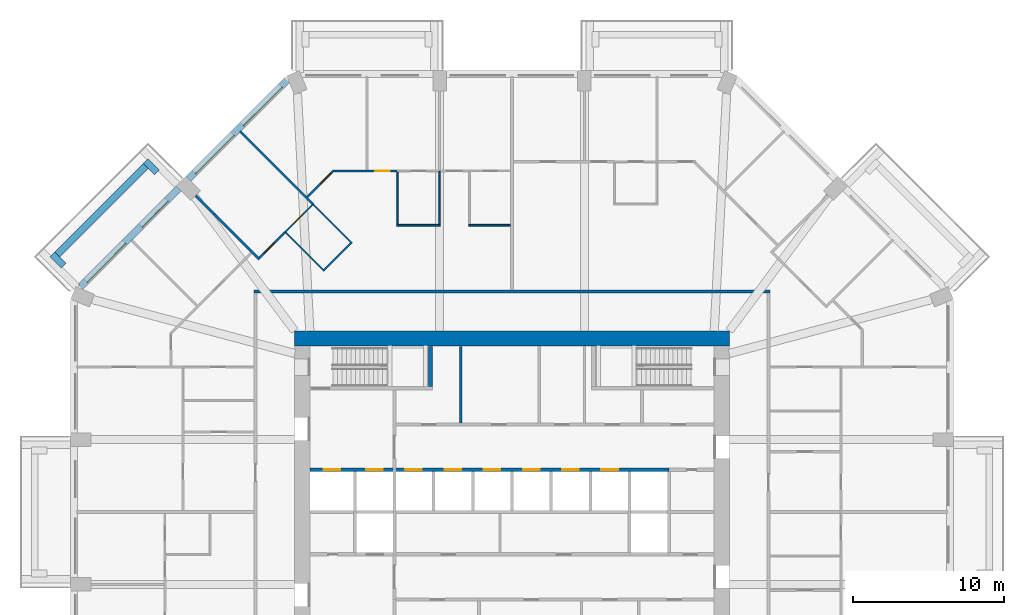
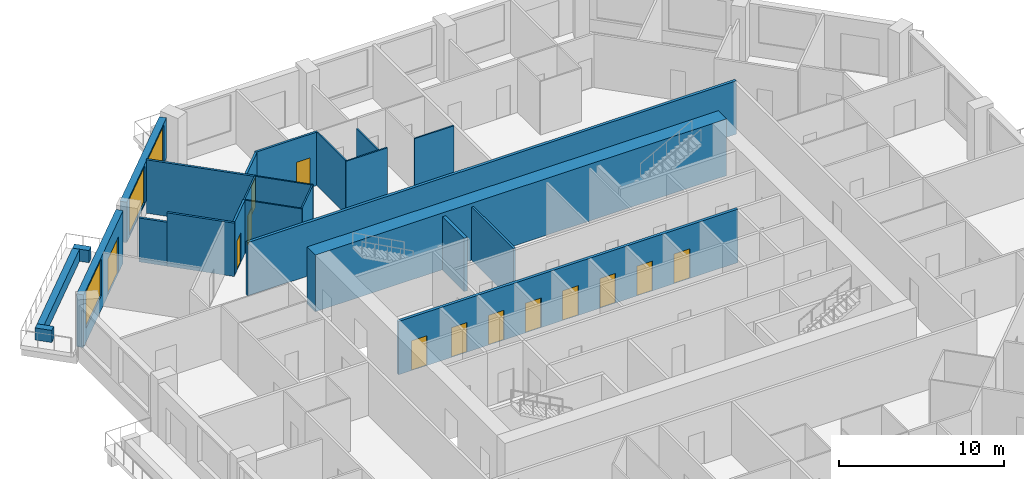
# One storey, part 8 of 13: 24 walls, 13 doors, 3 windows, 16 openings.
"""IFC4 building model written with IfcOpenShell, lengths in metres."""

from ifc_helpers import new_model, si_unit, direction, frame, frame_2d, origin, place, context, subcontext, project, spatial, rectangle, extrude, material, layer, layer_set, type_object, element, fill, save


model = new_model("IFC4")

# Units and contexts
model_context = context("Model", 3, precision=1e-05, world=origin(), true_north=direction((0.0, 1.0)))
body_context = subcontext(model_context, "Body", "Model", "MODEL_VIEW")
ifc_project = project(units=[si_unit("LENGTHUNIT", "METRE"), si_unit("AREAUNIT", "SQUARE_METRE"), si_unit("VOLUMEUNIT", "CUBIC_METRE"), si_unit("PLANEANGLEUNIT", "RADIAN"), si_unit("MASSUNIT", "GRAM", prefix="KILO")], contexts=[model_context])

# Site, building, storey
site_placement = place(None, origin())
site = spatial("IfcSite", under=ifc_project, at=site_placement, CompositionType="ELEMENT")
building_placement = place(site_placement, origin())
building = spatial("IfcBuilding", under=site, at=building_placement, Name="Msitu Wima Residences", CompositionType="ELEMENT")
storey_placement = place(building_placement, frame((0.0, 0.0, 46.5)))
storey = spatial("IfcBuildingStorey", under=building, at=storey_placement, Name="L10", CompositionType="ELEMENT", Elevation=46.5)

# Walls
ifc_material_1 = material(Name="Facing brick")
ifc_layer_1 = layer(ifc_material_1, 0.06494140625, Name="Facing brick")
ifc_material_2 = material(Name="Concrete C40/50", Category="concrete")
ifc_layer_2 = layer(ifc_material_2, 0.156005859375, Name="Concrete C40/50")
ifc_material_3 = material(Name="Waterproofing membrane")
ifc_layer_3 = layer(ifc_material_3, 0.00390625, Name="Waterproofing membrane")
ifc_material_4 = material(Name="Planting soil and planting")
ifc_layer_4 = layer(ifc_material_4, 0.22509765625, Name="Planting soil and planting")
ifc_layer_set_1 = layer_set([ifc_layer_1, ifc_layer_2, ifc_layer_3, ifc_layer_4], Name="Concrete C40/50")
wall_type_1 = type_object("IfcWallType", Name="Balcony planter PLANTER PL450", PredefinedType="USERDEFINED", material=ifc_layer_set_1)
wall_1_placement = place(storey_placement, frame((-24.269287109375, 22.92578125, 0.0), z_axis=(0.0, 0.0, 1.0), x_axis=(-0.707106781187, -0.707106781187, 0.0)))
element("IfcWall", 1, at=wall_1_placement, inside=storey, type_object=wall_type_1, Name="Balcony planter NW1 L10", ObjectType="PLANTER", PredefinedType="USERDEFINED", context=body_context, shape_type="SweptSolid", body=[
    extrude(rectangle(XDim=8.2822265625, YDim=0.449951171875, at=frame_2d((4.14111328125, 0.0))), origin(), (0.0, 0.0, 1.0), 0.89990234375),
])
for number, where, z_axis, x_axis, name in (
    (2, (-23.52685546875, 22.50146484375, 0.0), (0.0, 0.0, 1.0), (-0.706990528533, 0.707223014731, 0.0), "Balcony planter NW1 L10"),
    (3, (-29.70166015625, 16.326904296875, 0.0), (0.0, 0.0, 1.0), (-0.707106781187, 0.707106781187, 0.0), "Balcony planter NW1 L10"),
):
    element("IfcWall", number, at=place(storey_placement, frame(where, z_axis=z_axis, x_axis=x_axis)), inside=storey, type_object=wall_type_1, Name=name, ObjectType="PLANTER", PredefinedType="USERDEFINED", context=body_context, shape_type="SweptSolid", body=[
        extrude(rectangle(XDim=1.050048828125, YDim=0.449951171875, at=frame_2d((0.52490234375, 0.0))), origin(), (0.0, 0.0, 1.0), 0.89990234375),
    ])

# Wall, openings, windows
ifc_material_5 = material(Name="Brick (red buff mix)", Category="masonry")
ifc_layer_5 = layer(ifc_material_5, 0.449951171875)
ifc_layer_set_2 = layer_set([ifc_layer_5], Name="Brick (red buff mix)")
wall_type_2 = type_object("IfcWallType", Name="Brick infill wall BW450", PredefinedType="SOLIDWALL", material=ifc_layer_set_2)
wall_2_placement = place(storey_placement, frame((-14.903564453125, 28.61474609375, 0.89990234375), z_axis=(0.0, 0.0, 1.0), x_axis=(-0.707106781187, -0.707106781187, 0.0)))
wall_2 = element("IfcWall", 4, at=wall_2_placement, inside=storey, type_object=wall_type_2, Name="Brick infill wall L10 NW0", PredefinedType="SOLIDWALL", context=body_context, shape_type="SweptSolid", body=[
    extrude(rectangle(XDim=9.2451171875, YDim=0.449951171875, at=frame_2d((4.62255859375, 0.0))), origin(), (0.0, 0.0, 1.0), 3.0),
])
opening_1_placement = place(wall_2_placement, frame((0.572509765625, 0.0, 0.14990234375)))
opening_1 = element("IfcOpeningElement", 5, at=opening_1_placement, cuts=wall_2, Name="Opening W08-10.013", PredefinedType="OPENING", context=body_context, shape_type="SweptSolid", body=[
    extrude(rectangle(XDim=3.60009765625, YDim=2.699951171875, at=frame_2d((1.800048828125, 1.35009765625))), frame((0.0, 0.23486328125, 0.0), z_axis=(0.0, -1.0, 0.0), x_axis=(1.0, 0.0, 0.0)), (0.0, 0.0, 1.0), 0.469970703125),
])
opening_2_placement = place(wall_2_placement, frame((5.072509765625, 0.0, 0.14990234375)))
opening_2 = element("IfcOpeningElement", 6, at=opening_2_placement, cuts=wall_2, Name="Opening W08-10.014", PredefinedType="OPENING", context=body_context, shape_type="SweptSolid", body=[
    extrude(rectangle(XDim=3.60009765625, YDim=2.699951171875, at=frame_2d((1.800048828125, 1.35009765625))), frame((0.0, 0.23486328125, 0.0), z_axis=(0.0, -1.0, 0.0), x_axis=(1.0, 0.0, 0.0)), (0.0, 0.0, 1.0), 0.469970703125),
])
ifc_material_6 = material(Name="Anodised aluminium, bronze finish, clear low-emissivity double glazing", Category="aluminium")
window_type = type_object("IfcWindowType", Name="Window W3600x2700", PartitioningType="DOUBLE_PANEL_VERTICAL", PredefinedType="WINDOW", material=ifc_material_6)
window_1_placement = place(opening_1_placement, origin())
window_1 = element("IfcWindow", 7, at=window_1_placement, inside=storey, type_object=window_type, Name="Window L10 NW0.1", OverallHeight=2.699951171875, OverallWidth=3.60009765625, PartitioningType="SINGLE_PANEL", PredefinedType="WINDOW", context=body_context, shape_type="SweptSolid", body=[
    extrude(rectangle(XDim=3.60009765625, YDim=2.699951171875, at=frame_2d((1.800048828125, 1.35009765625))), frame((0.0, 0.135009765625, 0.0), z_axis=(0.0, -1.0, 0.0), x_axis=(1.0, 0.0, 0.0)), (0.0, 0.0, 1.0), 0.06005859375),
])
fill(opening_1, window_1)
window_2_placement = place(opening_2_placement, origin())
window_2 = element("IfcWindow", 8, at=window_2_placement, inside=storey, type_object=window_type, Name="Window L10 NW0.2", OverallHeight=2.699951171875, OverallWidth=3.60009765625, PartitioningType="SINGLE_PANEL", PredefinedType="WINDOW", context=body_context, shape_type="SweptSolid", body=[
    extrude(rectangle(XDim=3.60009765625, YDim=2.699951171875, at=frame_2d((1.800048828125, 1.35009765625))), frame((0.0, 0.135009765625, 0.0), z_axis=(0.0, -1.0, 0.0), x_axis=(1.0, 0.0, 0.0)), (0.0, 0.0, 1.0), 0.06005859375),
])
fill(opening_2, window_2)

# Wall, openings, door, window
wall_3_placement = place(storey_placement, frame((-22.077392578125, 21.44091796875, 0.0), z_axis=(0.0, 0.0, 1.0), x_axis=(-0.707106781187, -0.707106781187, 0.0)))
wall_3 = element("IfcWall", 9, at=wall_3_placement, inside=storey, type_object=wall_type_2, Name="Brick infill wall L10 NW1", PredefinedType="SOLIDWALL", context=body_context, shape_type="SweptSolid", body=[
    extrude(rectangle(XDim=9.2451171875, YDim=0.449951171875, at=frame_2d((4.62255859375, 0.0))), origin(), (0.0, 0.0, 1.0), 3.89990234375),
])
opening_3_placement = place(wall_3_placement, frame((1.111328125, 0.0, 0.0)))
opening_3 = element("IfcOpeningElement", 10, at=opening_3_placement, cuts=wall_3, Name="Opening D08-10.005", PredefinedType="OPENING", context=body_context, shape_type="SweptSolid", body=[
    extrude(rectangle(XDim=2.39990234375, YDim=2.699951171875, at=frame_2d((1.199951171875, 1.35009765625))), frame((0.0, 0.23486328125, 0.0), z_axis=(0.0, -1.0, 0.0), x_axis=(1.0, 0.0, 0.0)), (0.0, 0.0, 1.0), 0.469970703125),
])
opening_4_placement = place(wall_3_placement, frame((5.072509765625, 0.0, 1.050048828125)))
opening_4 = element("IfcOpeningElement", 11, at=opening_4_placement, cuts=wall_3, Name="Opening W08-10.015", PredefinedType="OPENING", context=body_context, shape_type="SweptSolid", body=[
    extrude(rectangle(XDim=3.60009765625, YDim=2.699951171875, at=frame_2d((1.800048828125, 1.35009765625))), frame((0.0, 0.23486328125, 0.0), z_axis=(0.0, -1.0, 0.0), x_axis=(1.0, 0.0, 0.0)), (0.0, 0.0, 1.0), 0.469970703125),
])
door_type_1 = type_object("IfcDoorType", Name="Balcony door D2400x2700", OperationType="SLIDING_TO_LEFT", PredefinedType="DOOR", material=ifc_material_6)
door_1_placement = place(opening_3_placement, origin())
door_1 = element("IfcDoor", 12, at=door_1_placement, inside=storey, type_object=door_type_1, Name="Balcony door L10 NW1", OperationType="SINGLE_SWING_LEFT", OverallHeight=2.699951171875, OverallWidth=2.39990234375, PredefinedType="DOOR", context=body_context, shape_type="SweptSolid", body=[
    extrude(rectangle(XDim=2.39990234375, YDim=2.699951171875, at=frame_2d((1.199951171875, 1.35009765625))), frame((0.0, 0.1298828125, 0.0), z_axis=(0.0, -1.0, 0.0), x_axis=(1.0, 0.0, 0.0)), (0.0, 0.0, 1.0), 0.050048828125),
])
fill(opening_3, door_1)
window_3_placement = place(opening_4_placement, origin())
window_3 = element("IfcWindow", 13, at=window_3_placement, inside=storey, type_object=window_type, Name="Window L10 NW1.2", OverallHeight=2.699951171875, OverallWidth=3.60009765625, PartitioningType="SINGLE_PANEL", PredefinedType="WINDOW", context=body_context, shape_type="SweptSolid", body=[
    extrude(rectangle(XDim=3.60009765625, YDim=2.699951171875, at=frame_2d((1.800048828125, 1.35009765625))), frame((0.0, 0.135009765625, 0.0), z_axis=(0.0, -1.0, 0.0), x_axis=(1.0, 0.0, 0.0)), (0.0, 0.0, 1.0), 0.06005859375),
])
fill(opening_4, window_3)

# Walls
ifc_material_7 = material(Name="Concrete C80/95", Category="concrete")
ifc_layer_6 = layer(ifc_material_7, 1.0)
ifc_layer_set_3 = layer_set([ifc_layer_6], Name="Concrete C80/95")
wall_type_3 = type_object("IfcWallType", Name="Core wall CW1000 C80/95", PredefinedType="SHEAR", material=ifc_layer_set_3)
wall_4_placement = place(storey_placement, frame((-14.39990234375, 11.5, 0.0), z_axis=(0.0, 0.0, 1.0), x_axis=(1.0, 0.0, 0.0)))
element("IfcWall", 14, at=wall_4_placement, inside=storey, type_object=wall_type_3, Name="Core wall", PredefinedType="SHEAR", context=body_context, shape_type="SweptSolid", body=[
    extrude(rectangle(XDim=28.7998046875, YDim=1.0, at=frame_2d((14.39990234375, 0.0))), origin(), (0.0, 0.0, 1.0), 4.199951171875),
])
ifc_material_8 = material(Name="Plaster")
ifc_layer_7 = layer(ifc_material_8, 0.011962890625, Name="Plaster")
ifc_material_9 = material(Name="Concrete blockwork", Category="masonry")
ifc_layer_8 = layer(ifc_material_9, 0.176025390625, Name="Concrete blockwork")
ifc_layer_9 = layer(ifc_material_8, 0.011962890625, Name="Plaster")
ifc_layer_set_4 = layer_set([ifc_layer_7, ifc_layer_8, ifc_layer_9], Name="Concrete blockwork")
wall_type_4 = type_object("IfcWallType", Name="Corridor wall FW200", PredefinedType="PARTITIONING", material=ifc_layer_set_4)
wall_5_placement = place(storey_placement, frame((-17.10009765625, 14.60009765625, 0.0), z_axis=(0.0, 0.0, 1.0), x_axis=(1.0, 0.0, 0.0)))
element("IfcWall", 15, at=wall_5_placement, inside=storey, type_object=wall_type_4, Name="Corridor wall", PredefinedType="PARTITIONING", context=body_context, shape_type="SweptSolid", body=[
    extrude(rectangle(XDim=34.2001953125, YDim=0.199951171875, at=frame_2d((17.10009765625, 0.0))), origin(), (0.0, 0.0, 1.0), 3.949951171875),
])
ifc_layer_10 = layer(ifc_material_8, 0.011962890625, Name="Plaster")
ifc_layer_11 = layer(ifc_material_9, 0.1259765625, Name="Concrete blockwork")
ifc_layer_12 = layer(ifc_material_8, 0.011962890625, Name="Plaster")
ifc_layer_set_5 = layer_set([ifc_layer_10, ifc_layer_11, ifc_layer_12], Name="Concrete blockwork")
wall_type_5 = type_object("IfcWallType", Name="Partition PW150", PredefinedType="PARTITIONING", material=ifc_layer_set_5)
wall_6_placement = place(storey_placement, frame((-20.963623046875, 20.963623046875, 0.0), z_axis=(0.0, 0.0, 1.0), x_axis=(0.707106781187, -0.707106781187, 0.0)))
element("IfcWall", 16, at=wall_6_placement, inside=storey, type_object=wall_type_5, Name="Partition", PredefinedType="PARTITIONING", context=body_context, shape_type="SweptSolid", body=[
    extrude(rectangle(XDim=1.74853515625, YDim=0.14990234375, at=frame_2d((0.874267578125, 0.0))), origin(), (0.0, 0.0, 1.0), 3.25),
])
wall_7_placement = place(storey_placement, frame((-19.727294921875, 19.727294921875, 0.0), z_axis=(0.0, 0.0, 1.0), x_axis=(0.707106781187, -0.707106781187, 0.0)))
element("IfcWall", 17, at=wall_7_placement, inside=storey, type_object=wall_type_5, Name="Partition", PredefinedType="PARTITIONING", context=body_context, shape_type="SweptSolid", body=[
    extrude(rectangle(XDim=4.226806640625, YDim=0.14990234375, at=frame_2d((2.11328125, 0.0))), origin(), (0.0, 0.0, 1.0), 3.949951171875),
])
wall_8_placement = place(storey_placement, frame((-18.017578125, 25.2177734375, 0.0), z_axis=(0.0, 0.0, 1.0), x_axis=(0.707088947697, -0.707124614226, 0.0)))
element("IfcWall", 18, at=wall_8_placement, inside=storey, type_object=wall_type_5, Name="Partition", PredefinedType="PARTITIONING", context=body_context, shape_type="SweptSolid", body=[
    extrude(rectangle(XDim=6.844970703125, YDim=0.14990234375, at=frame_2d((3.42236328125, 0.0))), origin(), (0.0, 0.0, 1.0), 3.949951171875),
])

# Wall, opening, door
wall_9_placement = place(storey_placement, frame((-16.738525390625, 16.8447265625, 0.0), z_axis=(0.0, 0.0, 1.0), x_axis=(0.707106781187, 0.707106781187, 0.0)))
wall_9 = element("IfcWall", 19, at=wall_9_placement, inside=storey, type_object=wall_type_5, Name="Partition", PredefinedType="PARTITIONING", context=body_context, shape_type="SweptSolid", body=[
    extrude(rectangle(XDim=2.396240234375, YDim=0.14990234375, at=frame_2d((1.1982421875, 0.0))), origin(), (0.0, 0.0, 1.0), 3.949951171875),
])
opening_5_placement = place(wall_9_placement, frame((0.449951171875, 0.0, 0.0)))
opening_5 = element("IfcOpeningElement", 20, at=opening_5_placement, cuts=wall_9, Name="Opening D08-10.054", PredefinedType="OPENING", context=body_context, shape_type="SweptSolid", body=[
    extrude(rectangle(XDim=0.949951171875, YDim=2.199951171875, at=frame_2d((0.47509765625, 1.10009765625))), frame((0.0, 0.0849609375, 0.0), z_axis=(0.0, -1.0, 0.0), x_axis=(1.0, 0.0, 0.0)), (0.0, 0.0, 1.0), 0.169921875),
])
ifc_material_10 = material(Name="Timber flush door", Category="wood")
door_type_2 = type_object("IfcDoorType", Name="Room door D12 950x2200", OperationType="SINGLE_SWING_LEFT", PredefinedType="DOOR", material=ifc_material_10)
door_2_placement = place(opening_5_placement, origin())
door_2 = element("IfcDoor", 21, at=door_2_placement, inside=storey, type_object=door_type_2, Name="Room door", OperationType="SINGLE_SWING_LEFT", OverallHeight=2.199951171875, OverallWidth=0.949951171875, PredefinedType="DOOR", context=body_context, shape_type="SweptSolid", body=[
    extrude(rectangle(XDim=0.949951171875, YDim=2.199951171875, at=frame_2d((0.47509765625, 1.10009765625))), frame((0.0, 0.02490234375, 0.0), z_axis=(0.0, -1.0, 0.0), x_axis=(1.0, 0.0, 0.0)), (0.0, 0.0, 1.0), 0.050048828125),
])
fill(opening_5, door_2)

wall_10_placement = place(storey_placement, frame((-13.56298828125, 20.868896484375, 0.0), z_axis=(0.0, 0.0, 1.0), x_axis=(0.707106781187, 0.707106781187, 0.0)))
wall_10 = element("IfcWall", 22, at=wall_10_placement, inside=storey, type_object=wall_type_5, Name="Partition", PredefinedType="PARTITIONING", context=body_context, shape_type="SweptSolid", body=[
    extrude(rectangle(XDim=2.373046875, YDim=0.14990234375, at=frame_2d((1.1865234375, 0.0))), origin(), (0.0, 0.0, 1.0), 3.949951171875),
])
opening_6_placement = place(wall_10_placement, frame((1.25, 0.0, 0.0)))
opening_6 = element("IfcOpeningElement", 23, at=opening_6_placement, cuts=wall_10, Name="Opening D08-10.057", PredefinedType="OPENING", context=body_context, shape_type="SweptSolid", body=[
    extrude(rectangle(XDim=0.949951171875, YDim=2.199951171875, at=frame_2d((0.47509765625, 1.10009765625))), frame((0.0, 0.0849609375, 0.0), z_axis=(0.0, -1.0, 0.0), x_axis=(1.0, 0.0, 0.0)), (0.0, 0.0, 1.0), 0.169921875),
])
door_3_placement = place(opening_6_placement, origin())
door_3 = element("IfcDoor", 24, at=door_3_placement, inside=storey, type_object=door_type_2, Name="Room door", OperationType="SINGLE_SWING_LEFT", OverallHeight=2.199951171875, OverallWidth=0.949951171875, PredefinedType="DOOR", context=body_context, shape_type="SweptSolid", body=[
    extrude(rectangle(XDim=0.949951171875, YDim=2.199951171875, at=frame_2d((0.47509765625, 1.10009765625))), frame((0.0, 0.02490234375, 0.0), z_axis=(0.0, -1.0, 0.0), x_axis=(1.0, 0.0, 0.0)), (0.0, 0.0, 1.0), 0.050048828125),
])
fill(opening_6, door_3)

wall_11_placement = place(storey_placement, frame((-11.906982421875, 22.60009765625, 0.0), z_axis=(0.0, 0.0, 1.0), x_axis=(1.0, 0.0, 0.0)))
wall_11 = element("IfcWall", 25, at=wall_11_placement, inside=storey, type_object=wall_type_5, Name="Partition", PredefinedType="PARTITIONING", context=body_context, shape_type="SweptSolid", body=[
    extrude(rectangle(XDim=4.306884765625, YDim=0.14990234375, at=frame_2d((2.1533203125, 0.0))), origin(), (0.0, 0.0, 1.0), 3.949951171875),
])
opening_7_placement = place(wall_11_placement, frame((2.85009765625, 0.0, 0.0)))
opening_7 = element("IfcOpeningElement", 26, at=opening_7_placement, cuts=wall_11, Name="Opening D08-10.049", PredefinedType="OPENING", context=body_context, shape_type="SweptSolid", body=[
    extrude(rectangle(XDim=0.949951171875, YDim=2.199951171875, at=frame_2d((0.47509765625, 1.10009765625))), frame((0.0, 0.0849609375, 0.0), z_axis=(0.0, -1.0, 0.0), x_axis=(1.0, 0.0, 0.0)), (0.0, 0.0, 1.0), 0.169921875),
])
door_4_placement = place(opening_7_placement, origin())
door_4 = element("IfcDoor", 27, at=door_4_placement, inside=storey, type_object=door_type_2, Name="Room door", OperationType="SINGLE_SWING_LEFT", OverallHeight=2.199951171875, OverallWidth=0.949951171875, PredefinedType="DOOR", context=body_context, shape_type="SweptSolid", body=[
    extrude(rectangle(XDim=0.949951171875, YDim=2.199951171875, at=frame_2d((0.47509765625, 1.10009765625))), frame((0.0, 0.02490234375, 0.0), z_axis=(0.0, -1.0, 0.0), x_axis=(1.0, 0.0, 0.0)), (0.0, 0.0, 1.0), 0.050048828125),
])
fill(opening_7, door_4)

# Wall
wall_12_placement = place(storey_placement, frame((-3.39990234375, 5.89990234375, 0.0), z_axis=(0.0, 0.0, 1.0), x_axis=(0.0, 1.0, 0.0)))
element("IfcWall", 28, at=wall_12_placement, inside=storey, type_object=wall_type_5, Name="Partition", PredefinedType="PARTITIONING", context=body_context, shape_type="SweptSolid", body=[
    extrude(rectangle(XDim=5.070068359375, YDim=0.14990234375, at=frame_2d((2.53515625, 0.0))), origin(), (0.0, 0.0, 1.0), 3.949951171875),
])

# Wall, openings, doors
ifc_material_11 = material(Name="Fire-rated board")
ifc_layer_13 = layer(ifc_material_11, 0.02490234375, Name="Fire-rated board")
ifc_material_12 = material(Name="Light-gauge stud framing with mineral wool")
ifc_layer_14 = layer(ifc_material_12, 0.14990234375, Name="Light-gauge stud framing with mineral wool")
ifc_layer_15 = layer(ifc_material_11, 0.02490234375, Name="Fire-rated board")
ifc_layer_set_6 = layer_set([ifc_layer_13, ifc_layer_14, ifc_layer_15], Name="Light-gauge stud framing with mineral wool")
wall_type_6 = type_object("IfcWallType", Name="Shaft wall SH200", PredefinedType="PARTITIONING", material=ifc_layer_set_6)
wall_13_placement = place(storey_placement, frame((-13.3701171875, 2.800048828125, 0.0), z_axis=(0.0, 0.0, 1.0), x_axis=(1.0, 0.0, 0.0)))
wall_13 = element("IfcWall", 29, at=wall_13_placement, inside=storey, type_object=wall_type_6, Name="Shaft wall", PredefinedType="PARTITIONING", context=body_context, shape_type="SweptSolid", body=[
    extrude(rectangle(XDim=23.77001953125, YDim=0.199951171875, at=frame_2d((11.885009765625, 0.0))), origin(), (0.0, 0.0, 1.0), 3.949951171875),
])
opening_8_placement = place(wall_13_placement, frame((0.89990234375, 0.0, 0.0)))
opening_8 = element("IfcOpeningElement", 30, at=opening_8_placement, cuts=wall_13, Name="Opening LD", PredefinedType="OPENING", context=body_context, shape_type="SweptSolid", body=[
    extrude(rectangle(XDim=1.10009765625, YDim=2.199951171875, at=frame_2d((0.550048828125, 1.10009765625))), frame((0.0, 0.10986328125, 0.0), z_axis=(0.0, -1.0, 0.0), x_axis=(1.0, 0.0, 0.0)), (0.0, 0.0, 1.0), 0.219970703125),
])
opening_9_placement = place(wall_13_placement, frame((3.699951171875, 0.0, 0.0)))
opening_9 = element("IfcOpeningElement", 31, at=opening_9_placement, cuts=wall_13, Name="Opening LD", PredefinedType="OPENING", context=body_context, shape_type="SweptSolid", body=[
    extrude(rectangle(XDim=1.10009765625, YDim=2.199951171875, at=frame_2d((0.550048828125, 1.10009765625))), frame((0.0, 0.10986328125, 0.0), z_axis=(0.0, -1.0, 0.0), x_axis=(1.0, 0.0, 0.0)), (0.0, 0.0, 1.0), 0.219970703125),
])
opening_10_placement = place(wall_13_placement, frame((6.300048828125, 0.0, 0.0)))
opening_10 = element("IfcOpeningElement", 32, at=opening_10_placement, cuts=wall_13, Name="Opening LD", PredefinedType="OPENING", context=body_context, shape_type="SweptSolid", body=[
    extrude(rectangle(XDim=1.10009765625, YDim=2.199951171875, at=frame_2d((0.550048828125, 1.10009765625))), frame((0.0, 0.10986328125, 0.0), z_axis=(0.0, -1.0, 0.0), x_axis=(1.0, 0.0, 0.0)), (0.0, 0.0, 1.0), 0.219970703125),
])
opening_11_placement = place(wall_13_placement, frame((8.89990234375, 0.0, 0.0)))
opening_11 = element("IfcOpeningElement", 33, at=opening_11_placement, cuts=wall_13, Name="Opening LD", PredefinedType="OPENING", context=body_context, shape_type="SweptSolid", body=[
    extrude(rectangle(XDim=1.10009765625, YDim=2.199951171875, at=frame_2d((0.550048828125, 1.10009765625))), frame((0.0, 0.10986328125, 0.0), z_axis=(0.0, -1.0, 0.0), x_axis=(1.0, 0.0, 0.0)), (0.0, 0.0, 1.0), 0.219970703125),
])
opening_12_placement = place(wall_13_placement, frame((11.5, 0.0, 0.0)))
opening_12 = element("IfcOpeningElement", 34, at=opening_12_placement, cuts=wall_13, Name="Opening LD", PredefinedType="OPENING", context=body_context, shape_type="SweptSolid", body=[
    extrude(rectangle(XDim=1.10009765625, YDim=2.199951171875, at=frame_2d((0.550048828125, 1.10009765625))), frame((0.0, 0.10986328125, 0.0), z_axis=(0.0, -1.0, 0.0), x_axis=(1.0, 0.0, 0.0)), (0.0, 0.0, 1.0), 0.219970703125),
])
opening_13_placement = place(wall_13_placement, frame((14.10009765625, 0.0, 0.0)))
opening_13 = element("IfcOpeningElement", 35, at=opening_13_placement, cuts=wall_13, Name="Opening LD", PredefinedType="OPENING", context=body_context, shape_type="SweptSolid", body=[
    extrude(rectangle(XDim=1.10009765625, YDim=2.199951171875, at=frame_2d((0.550048828125, 1.10009765625))), frame((0.0, 0.10986328125, 0.0), z_axis=(0.0, -1.0, 0.0), x_axis=(1.0, 0.0, 0.0)), (0.0, 0.0, 1.0), 0.219970703125),
])
opening_14_placement = place(wall_13_placement, frame((16.699951171875, 0.0, 0.0)))
opening_14 = element("IfcOpeningElement", 36, at=opening_14_placement, cuts=wall_13, Name="Opening LD", PredefinedType="OPENING", context=body_context, shape_type="SweptSolid", body=[
    extrude(rectangle(XDim=1.10009765625, YDim=2.199951171875, at=frame_2d((0.550048828125, 1.10009765625))), frame((0.0, 0.10986328125, 0.0), z_axis=(0.0, -1.0, 0.0), x_axis=(1.0, 0.0, 0.0)), (0.0, 0.0, 1.0), 0.219970703125),
])
opening_15_placement = place(wall_13_placement, frame((19.300048828125, 0.0, 0.0)))
opening_15 = element("IfcOpeningElement", 37, at=opening_15_placement, cuts=wall_13, Name="Opening LD", PredefinedType="OPENING", context=body_context, shape_type="SweptSolid", body=[
    extrude(rectangle(XDim=1.10009765625, YDim=2.199951171875, at=frame_2d((0.550048828125, 1.10009765625))), frame((0.0, 0.10986328125, 0.0), z_axis=(0.0, -1.0, 0.0), x_axis=(1.0, 0.0, 0.0)), (0.0, 0.0, 1.0), 0.219970703125),
])
ifc_material_13 = material(Name="Stainless steel centre-opening landing door, rated", Category="steel")
door_type_3 = type_object("IfcDoorType", Name="Lift landing door LD 1100x2200", OperationType="DOUBLE_DOOR_SLIDING", PredefinedType="DOOR", material=ifc_material_13)
door_5_placement = place(opening_8_placement, origin())
door_5 = element("IfcDoor", 38, at=door_5_placement, inside=storey, type_object=door_type_3, Name="Lift landing door LD1", OperationType="DOUBLE_DOOR_SLIDING", OverallHeight=2.199951171875, OverallWidth=1.10009765625, PredefinedType="DOOR", context=body_context, shape_type="SweptSolid", body=[
    extrude(rectangle(XDim=1.10009765625, YDim=2.199951171875, at=frame_2d((0.550048828125, 1.10009765625))), frame((0.0, 0.02490234375, 0.0), z_axis=(0.0, -1.0, 0.0), x_axis=(1.0, 0.0, 0.0)), (0.0, 0.0, 1.0), 0.050048828125),
])
fill(opening_8, door_5)
door_6_placement = place(opening_9_placement, origin())
door_6 = element("IfcDoor", 39, at=door_6_placement, inside=storey, type_object=door_type_3, Name="Lift landing door LD2", OperationType="DOUBLE_DOOR_SLIDING", OverallHeight=2.199951171875, OverallWidth=1.10009765625, PredefinedType="DOOR", context=body_context, shape_type="SweptSolid", body=[
    extrude(rectangle(XDim=1.10009765625, YDim=2.199951171875, at=frame_2d((0.550048828125, 1.10009765625))), frame((0.0, 0.02490234375, 0.0), z_axis=(0.0, -1.0, 0.0), x_axis=(1.0, 0.0, 0.0)), (0.0, 0.0, 1.0), 0.050048828125),
])
fill(opening_9, door_6)
door_7_placement = place(opening_10_placement, origin())
door_7 = element("IfcDoor", 40, at=door_7_placement, inside=storey, type_object=door_type_3, Name="Lift landing door LD4", OperationType="DOUBLE_DOOR_SLIDING", OverallHeight=2.199951171875, OverallWidth=1.10009765625, PredefinedType="DOOR", context=body_context, shape_type="SweptSolid", body=[
    extrude(rectangle(XDim=1.10009765625, YDim=2.199951171875, at=frame_2d((0.550048828125, 1.10009765625))), frame((0.0, 0.02490234375, 0.0), z_axis=(0.0, -1.0, 0.0), x_axis=(1.0, 0.0, 0.0)), (0.0, 0.0, 1.0), 0.050048828125),
])
fill(opening_10, door_7)
door_8_placement = place(opening_11_placement, origin())
door_8 = element("IfcDoor", 41, at=door_8_placement, inside=storey, type_object=door_type_3, Name="Lift landing door LD6", OperationType="DOUBLE_DOOR_SLIDING", OverallHeight=2.199951171875, OverallWidth=1.10009765625, PredefinedType="DOOR", context=body_context, shape_type="SweptSolid", body=[
    extrude(rectangle(XDim=1.10009765625, YDim=2.199951171875, at=frame_2d((0.550048828125, 1.10009765625))), frame((0.0, 0.02490234375, 0.0), z_axis=(0.0, -1.0, 0.0), x_axis=(1.0, 0.0, 0.0)), (0.0, 0.0, 1.0), 0.050048828125),
])
fill(opening_11, door_8)
door_9_placement = place(opening_12_placement, origin())
door_9 = element("IfcDoor", 42, at=door_9_placement, inside=storey, type_object=door_type_3, Name="Lift landing door LD8", OperationType="DOUBLE_DOOR_SLIDING", OverallHeight=2.199951171875, OverallWidth=1.10009765625, PredefinedType="DOOR", context=body_context, shape_type="SweptSolid", body=[
    extrude(rectangle(XDim=1.10009765625, YDim=2.199951171875, at=frame_2d((0.550048828125, 1.10009765625))), frame((0.0, 0.02490234375, 0.0), z_axis=(0.0, -1.0, 0.0), x_axis=(1.0, 0.0, 0.0)), (0.0, 0.0, 1.0), 0.050048828125),
])
fill(opening_12, door_9)
door_10_placement = place(opening_13_placement, origin())
door_10 = element("IfcDoor", 43, at=door_10_placement, inside=storey, type_object=door_type_3, Name="Lift landing door LD10", OperationType="DOUBLE_DOOR_SLIDING", OverallHeight=2.199951171875, OverallWidth=1.10009765625, PredefinedType="DOOR", context=body_context, shape_type="SweptSolid", body=[
    extrude(rectangle(XDim=1.10009765625, YDim=2.199951171875, at=frame_2d((0.550048828125, 1.10009765625))), frame((0.0, 0.02490234375, 0.0), z_axis=(0.0, -1.0, 0.0), x_axis=(1.0, 0.0, 0.0)), (0.0, 0.0, 1.0), 0.050048828125),
])
fill(opening_13, door_10)
door_11_placement = place(opening_14_placement, origin())
door_11 = element("IfcDoor", 44, at=door_11_placement, inside=storey, type_object=door_type_3, Name="Lift landing door LD12", OperationType="DOUBLE_DOOR_SLIDING", OverallHeight=2.199951171875, OverallWidth=1.10009765625, PredefinedType="DOOR", context=body_context, shape_type="SweptSolid", body=[
    extrude(rectangle(XDim=1.10009765625, YDim=2.199951171875, at=frame_2d((0.550048828125, 1.10009765625))), frame((0.0, 0.02490234375, 0.0), z_axis=(0.0, -1.0, 0.0), x_axis=(1.0, 0.0, 0.0)), (0.0, 0.0, 1.0), 0.050048828125),
])
fill(opening_14, door_11)
door_12_placement = place(opening_15_placement, origin())
door_12 = element("IfcDoor", 45, at=door_12_placement, inside=storey, type_object=door_type_3, Name="Lift landing door LD14", OperationType="DOUBLE_DOOR_SLIDING", OverallHeight=2.199951171875, OverallWidth=1.10009765625, PredefinedType="DOOR", context=body_context, shape_type="SweptSolid", body=[
    extrude(rectangle(XDim=1.10009765625, YDim=2.199951171875, at=frame_2d((0.550048828125, 1.10009765625))), frame((0.0, 0.02490234375, 0.0), z_axis=(0.0, -1.0, 0.0), x_axis=(1.0, 0.0, 0.0)), (0.0, 0.0, 1.0), 0.050048828125),
])
fill(opening_15, door_12)

# Wall
ifc_material_14 = material(Name="Concrete C50/60", Category="concrete")
ifc_layer_16 = layer(ifc_material_14, 0.25)
ifc_layer_set_7 = layer_set([ifc_layer_16], Name="Concrete C50/60")
wall_type_7 = type_object("IfcWallType", Name="Stair enclosure wall SW250", PredefinedType="SHEAR", material=ifc_layer_set_7)
wall_14_placement = place(storey_placement, frame((-5.39990234375, 8.324951171875, 0.0), z_axis=(0.0, 0.0, 1.0), x_axis=(0.0, 1.0, 0.0)))
element("IfcWall", 46, at=wall_14_placement, inside=storey, type_object=wall_type_7, Name="Stair enclosure wall", PredefinedType="SHEAR", context=body_context, shape_type="SweptSolid", body=[
    extrude(rectangle(XDim=2.64501953125, YDim=0.25, at=frame_2d((1.322509765625, 0.0))), origin(), (0.0, 0.0, 1.0), 3.949951171875),
])

# Wall, opening, door
ifc_material_15 = material(Name="Ceramic tiles")
ifc_layer_17 = layer(ifc_material_15, 0.008056640625, Name="Ceramic tiles")
ifc_material_16 = material(Name="Moisture-resistant board")
ifc_layer_18 = layer(ifc_material_16, 0.012451171875, Name="Moisture-resistant board")
ifc_layer_19 = layer(ifc_material_12, 0.06689453125, Name="Light-gauge stud framing with mineral wool")
ifc_layer_20 = layer(ifc_material_16, 0.012451171875, Name="Moisture-resistant board")
ifc_layer_set_8 = layer_set([ifc_layer_17, ifc_layer_18, ifc_layer_19, ifc_layer_20], Name="Light-gauge stud framing with mineral wool")
wall_type_8 = type_object("IfcWallType", Name="Wet wall PW100", PredefinedType="PARTITIONING", material=ifc_layer_set_8)
wall_15_placement = place(storey_placement, frame((-15.044189453125, 18.5390625, 0.0), z_axis=(0.0, 0.0, 1.0), x_axis=(0.707106781187, 0.707106781187, 0.0)))
wall_15 = element("IfcWall", 47, at=wall_15_placement, inside=storey, type_object=wall_type_8, Name="Wet wall", PredefinedType="PARTITIONING", context=body_context, shape_type="SweptSolid", body=[
    extrude(rectangle(XDim=2.56982421875, YDim=0.10009765625, at=frame_2d((1.284912109375, 0.0))), origin(), (0.0, 0.0, 1.0), 3.949951171875),
])
opening_16_placement = place(wall_15_placement, frame((0.85009765625, 0.0, 0.0)))
opening_16 = element("IfcOpeningElement", 48, at=opening_16_placement, cuts=wall_15, Name="Opening D08-10.055", PredefinedType="OPENING", context=body_context, shape_type="SweptSolid", body=[
    extrude(rectangle(XDim=0.89990234375, YDim=2.199951171875, at=frame_2d((0.449951171875, 1.10009765625))), frame((0.0, 0.06005859375, 0.0), z_axis=(0.0, -1.0, 0.0), x_axis=(1.0, 0.0, 0.0)), (0.0, 0.0, 1.0), 0.1201171875),
])
ifc_material_17 = material(Name="Timber flush door, moisture resistant", Category="wood")
door_type_4 = type_object("IfcDoorType", Name="Bathroom door D03 900x2200", OperationType="SINGLE_SWING_LEFT", PredefinedType="DOOR", material=ifc_material_17)
door_13_placement = place(opening_16_placement, origin())
door_13 = element("IfcDoor", 49, at=door_13_placement, inside=storey, type_object=door_type_4, Name="Bathroom door", OperationType="SINGLE_SWING_RIGHT", OverallHeight=2.199951171875, OverallWidth=0.89990234375, PredefinedType="DOOR", context=body_context, shape_type="SweptSolid", body=[
    extrude(rectangle(XDim=0.89990234375, YDim=2.199951171875, at=frame_2d((0.449951171875, 1.10009765625))), frame((0.0, 0.02490234375, 0.0), z_axis=(0.0, -1.0, 0.0), x_axis=(1.0, 0.0, 0.0)), (0.0, 0.0, 1.0), 0.050048828125),
])
fill(opening_16, door_13)

# Walls
wall_16_placement = place(storey_placement, frame((-14.994873046875, 18.517822265625, 0.0), z_axis=(0.0, 0.0, 1.0), x_axis=(0.707106781187, -0.707106781187, 0.0)))
element("IfcWall", 50, at=wall_16_placement, inside=storey, type_object=wall_type_8, Name="Wet wall", PredefinedType="PARTITIONING", context=body_context, shape_type="SweptSolid", body=[
    extrude(rectangle(XDim=3.60009765625, YDim=0.10009765625, at=frame_2d((1.800048828125, 0.0))), origin(), (0.0, 0.0, 1.0), 3.949951171875),
])
wall_17_placement = place(storey_placement, frame((-13.177490234375, 20.37744140625, 0.0), z_axis=(0.0, 0.0, 1.0), x_axis=(0.707106781187, -0.707106781187, 0.0)))
element("IfcWall", 51, at=wall_17_placement, inside=storey, type_object=wall_type_8, Name="Wet wall", PredefinedType="PARTITIONING", context=body_context, shape_type="SweptSolid", body=[
    extrude(rectangle(XDim=3.6298828125, YDim=0.10009765625, at=frame_2d((1.81494140625, 0.0))), origin(), (0.0, 0.0, 1.0), 3.949951171875),
])
wall_18_placement = place(storey_placement, frame((-12.44921875, 16.04296875, 0.0), z_axis=(0.0, 0.0, 1.0), x_axis=(0.707106781187, 0.707106781187, 0.0)))
element("IfcWall", 52, at=wall_18_placement, inside=storey, type_object=wall_type_8, Name="Wet wall", PredefinedType="PARTITIONING", context=body_context, shape_type="SweptSolid", body=[
    extrude(rectangle(XDim=2.5, YDim=0.10009765625, at=frame_2d((1.25, 0.0))), origin(), (0.0, 0.0, 1.0), 3.949951171875),
])
wall_19_placement = place(storey_placement, frame((-7.60009765625, 19.050048828125, 0.0), z_axis=(0.0, 0.0, 1.0), x_axis=(0.0, 1.0, 0.0)))
element("IfcWall", 53, at=wall_19_placement, inside=storey, type_object=wall_type_8, Name="Wet wall", PredefinedType="PARTITIONING", context=body_context, shape_type="SweptSolid", body=[
    extrude(rectangle(XDim=3.474853515625, YDim=0.10009765625, at=frame_2d((1.7373046875, 0.0))), origin(), (0.0, 0.0, 1.0), 3.949951171875),
])
wall_20_placement = place(storey_placement, frame((-7.64990234375, 19.0, 0.0), z_axis=(0.0, 0.0, 1.0), x_axis=(1.0, 0.0, 0.0)))
element("IfcWall", 54, at=wall_20_placement, inside=storey, type_object=wall_type_8, Name="Wet wall", PredefinedType="PARTITIONING", context=body_context, shape_type="SweptSolid", body=[
    extrude(rectangle(XDim=2.89990234375, YDim=0.10009765625, at=frame_2d((1.449951171875, 0.0))), origin(), (0.0, 0.0, 1.0), 3.949951171875),
])
wall_21_placement = place(storey_placement, frame((-4.800048828125, 19.050048828125, 0.0), z_axis=(0.0, 0.0, 1.0), x_axis=(0.0, 1.0, 0.0)))
element("IfcWall", 55, at=wall_21_placement, inside=storey, type_object=wall_type_8, Name="Wet wall", PredefinedType="PARTITIONING", context=body_context, shape_type="SweptSolid", body=[
    extrude(rectangle(XDim=3.530029296875, YDim=0.10009765625, at=frame_2d((1.76513671875, 0.0))), origin(), (0.0, 0.0, 1.0), 3.199951171875),
])
wall_22_placement = place(storey_placement, frame((-2.85009765625, 19.0, 0.0), z_axis=(0.0, 0.0, 1.0), x_axis=(1.0, 0.0, 0.0)))
element("IfcWall", 56, at=wall_22_placement, inside=storey, type_object=wall_type_8, Name="Wet wall", PredefinedType="PARTITIONING", context=body_context, shape_type="SweptSolid", body=[
    extrude(rectangle(XDim=2.75, YDim=0.10009765625, at=frame_2d((1.375, 0.0))), origin(), (0.0, 0.0, 1.0), 3.949951171875),
])

save(model, "model.ifc")
